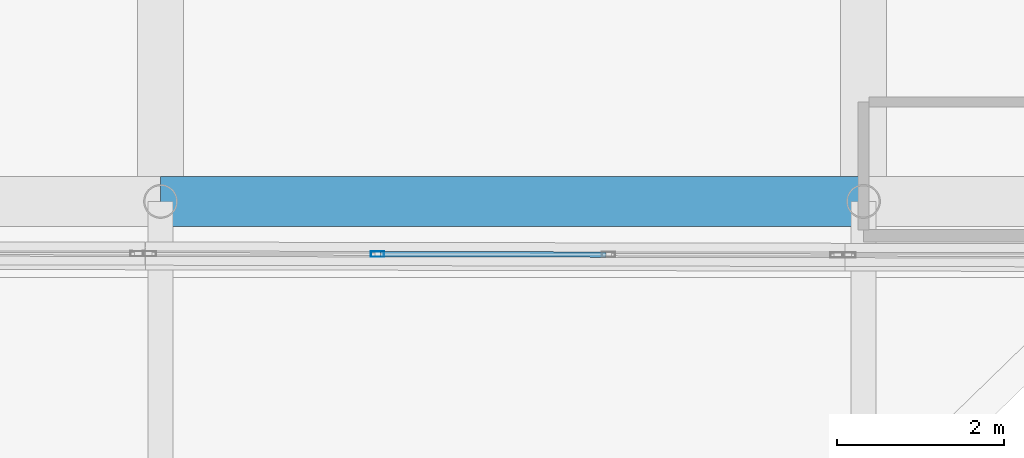
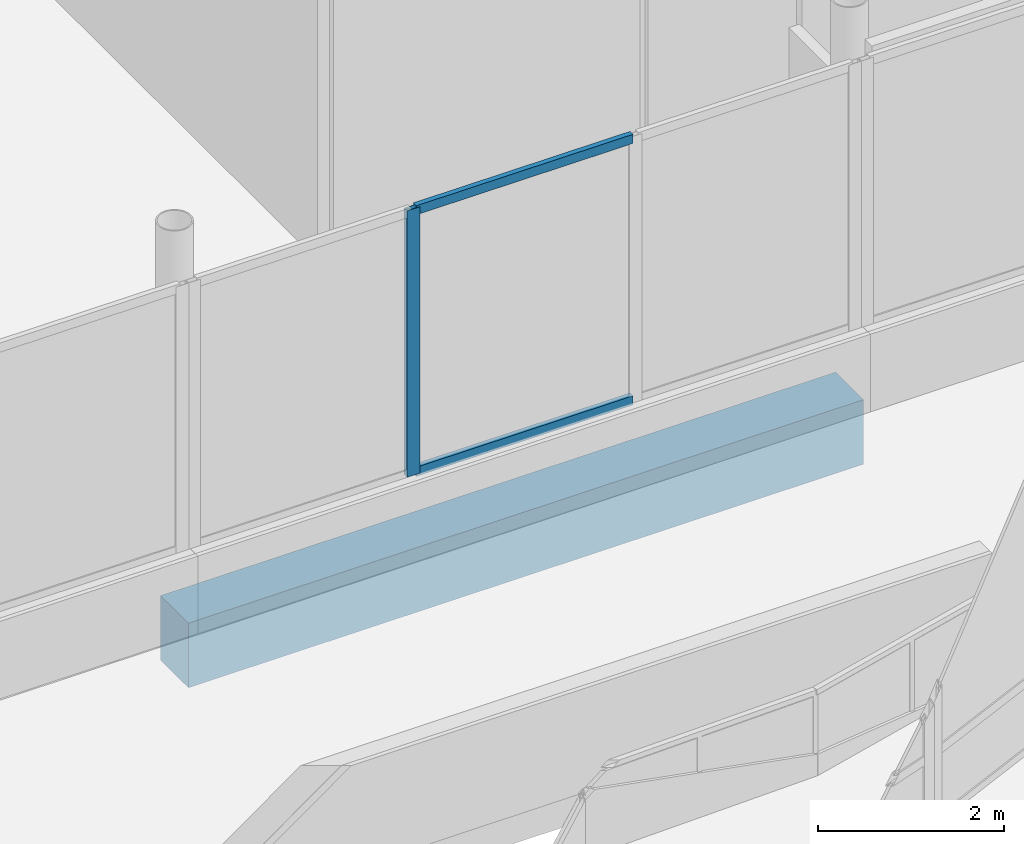
# One storey, part 38 of 168: 3 members, 1 beam, 1 element without a shape of its own.
"""IFC4 building model written with IfcOpenShell, lengths in metres."""

from ifc_helpers import new_model, si_unit, direction, frame, origin, origin_2d, place, context, subcontext, project, spatial, rectangle, hollow_rectangle, extrude, material, material_profile, profile_set, type_object, element, aggregate, save


model = new_model("IFC4")

# Units and contexts
model_context = context("Model", 3, precision=1e-05, world=origin(), true_north=direction((0.0, 1.0)))
body_context = subcontext(model_context, "Body", "Model", "MODEL_VIEW")
ifc_project = project(units=[si_unit("LENGTHUNIT", "METRE"), si_unit("AREAUNIT", "SQUARE_METRE"), si_unit("VOLUMEUNIT", "CUBIC_METRE"), si_unit("PLANEANGLEUNIT", "RADIAN"), si_unit("MASSUNIT", "GRAM", prefix="KILO")], contexts=[model_context])

# Site, building, storey
site_placement = place(None, origin())
site = spatial("IfcSite", under=ifc_project, at=site_placement, CompositionType="ELEMENT")
building_placement = place(site_placement, origin())
building = spatial("IfcBuilding", under=site, at=building_placement, Name="Selatvlak General Hospital", CompositionType="ELEMENT")
storey_placement = place(building_placement, frame((0.0, 0.0, 5.39990234375)))
storey = spatial("IfcBuildingStorey", under=building, at=storey_placement, Name="L01", CompositionType="ELEMENT", Elevation=5.39990234375)

# Beam
ifc_material_1 = material(Name="Concrete C40/50", Category="concrete")
ifc_material_profile_1 = material_profile(ifc_material_1, rectangle(XDim=0.60009765625, YDim=0.85009765625, at=origin_2d()), Name="RC-BM 600x850")
ifc_profile_set_1 = profile_set([ifc_material_profile_1], Name="Concrete C40/50")
beam_type = type_object("IfcBeamType", Name="BM-G01", PredefinedType="BEAM", material=ifc_profile_set_1)
beam_placement = place(storey_placement, frame((64.800048828125, 52.550048828125, -0.744873046875), z_axis=(1.0, 0.0, 0.0), x_axis=(0.0, 1.0, 0.0)))
element("IfcBeam", 1, at=beam_placement, inside=storey, type_object=beam_type, Name="Beam BMR-L01-0390", PredefinedType="BEAM", context=body_context, shape_type="SweptSolid", body=[
    extrude(rectangle(XDim=0.60009765625, YDim=0.85009765625, at=origin_2d()), origin(), (0.0, 0.0, 1.0), 8.39990234375),
])

# Curtain wall, members
ifc_material_2 = material(Name="Solar-control Low-E double glazing", Category="glass")
curtain_wall_type = type_object("IfcCurtainWallType", Name="CW-CW-02", PredefinedType="USERDEFINED", material=ifc_material_2)
curtain_wall_placement = place(storey_placement, origin())
curtain_wall = element("IfcCurtainWall", 2, at=curtain_wall_placement, inside=storey, type_object=curtain_wall_type, Name="Glazed facade curtain wall CW-L01-0209", ObjectType="UNITISED CURTAIN WALL", PredefinedType="USERDEFINED")
ifc_material_3 = material(Name="Dark anodised aluminium mullion", Category="aluminium")
ifc_material_profile_2 = material_profile(ifc_material_3, hollow_rectangle(XDim=0.06494140625, YDim=0.159912109375, WallThickness=0.00390625, at=origin_2d()), Name="AL-MUL 65x160x4")
ifc_profile_set_2 = profile_set([ifc_material_profile_2], Name="Dark anodised aluminium mullion")
member_type_1 = type_object("IfcMemberType", Name="CWM-01", PredefinedType="MULLION", material=ifc_profile_set_2)
member_1_placement = place(storey_placement, frame((67.3935546875, 51.919921875, 0.940185546875), z_axis=(0.0, 0.0, 1.0), x_axis=(-0.001811153756, -0.99999835986, 0.0)))
member_1 = element("IfcMember", 3, at=member_1_placement, type_object=member_type_1, Name="CW-02 mullion 3", PredefinedType="MULLION", context=body_context, shape_type="SweptSolid", body=[
    extrude(hollow_rectangle(XDim=0.06494140625, YDim=0.159912109375, WallThickness=0.00390625, at=origin_2d()), origin(), (0.0, 0.0, 1.0), 3.5048828125),
])
ifc_material_profile_3 = material_profile(ifc_material_3, hollow_rectangle(XDim=0.06494140625, YDim=0.1201171875, WallThickness=0.00390625, at=origin_2d()), Name="AL-TRN 65x120x4")
ifc_profile_set_3 = profile_set([ifc_material_profile_3], Name="Dark anodised aluminium mullion")
member_type_2 = type_object("IfcMemberType", Name="CWT-01", PredefinedType="USERDEFINED", material=ifc_profile_set_3)
member_2_placement = place(storey_placement, frame((70.121826171875, 51.9150390625, 0.97265625), z_axis=(-0.999998359364, 0.001811427152, 0.0), x_axis=(-0.001811427152, -0.999998359364, 0.0)))
member_2 = element("IfcMember", 4, at=member_2_placement, type_object=member_type_2, Name="CW-02 transom 2.1", ObjectType="TRANSOM", PredefinedType="USERDEFINED", context=body_context, shape_type="SweptSolid", body=[
    extrude(hollow_rectangle(XDim=0.06494140625, YDim=0.1201171875, WallThickness=0.00390625, at=origin_2d()), origin(), (0.0, 0.0, 1.0), 2.695556640625),
])
member_3_placement = place(storey_placement, frame((70.121826171875, 51.9150390625, 4.41259765625), z_axis=(-0.999998359364, 0.001811427152, 0.0), x_axis=(-0.001811427152, -0.999998359364, 0.0)))
member_3 = element("IfcMember", 5, at=member_3_placement, type_object=member_type_2, Name="CW-02 transom 2.2", ObjectType="TRANSOM", PredefinedType="USERDEFINED", context=body_context, shape_type="SweptSolid", body=[
    extrude(hollow_rectangle(XDim=0.06494140625, YDim=0.1201171875, WallThickness=0.00390625, at=origin_2d()), origin(), (0.0, 0.0, 1.0), 2.695556640625),
])
aggregate(curtain_wall, [member_1, member_2, member_3])

save(model, "model.ifc")
